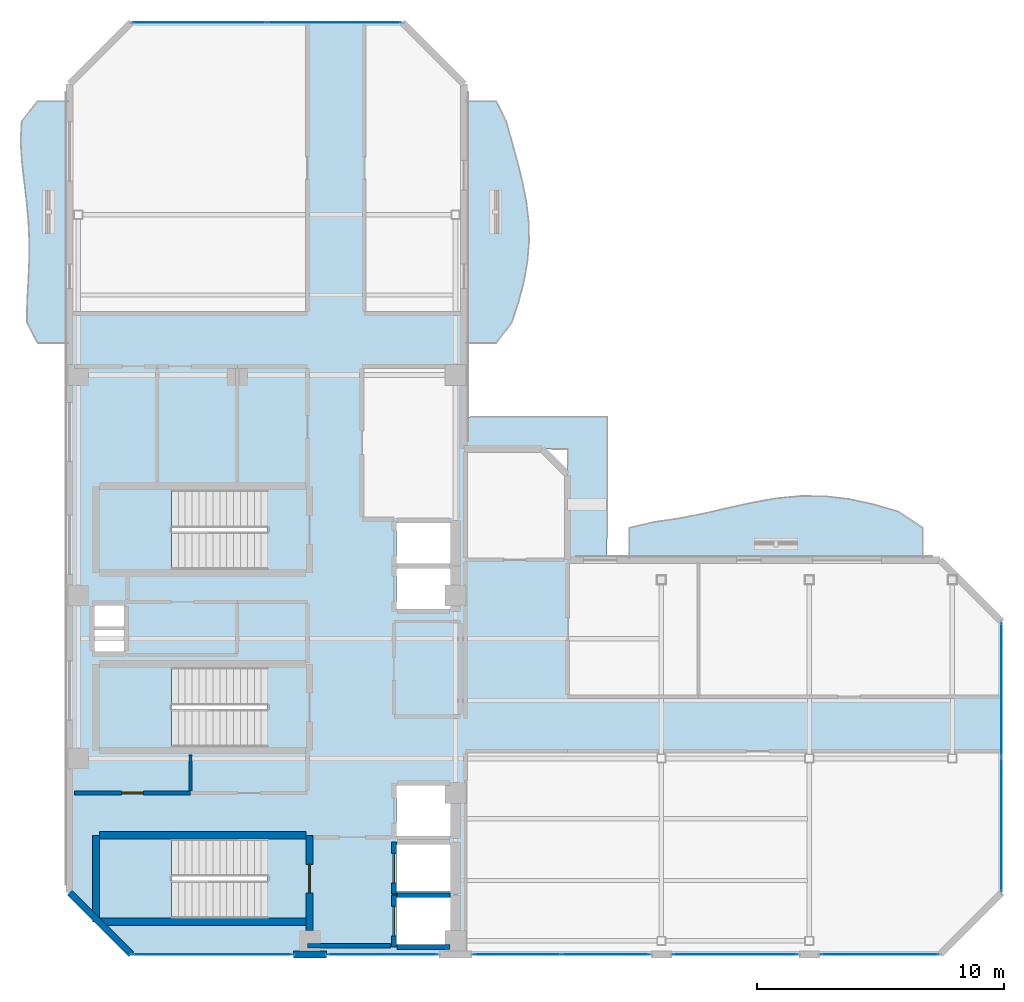
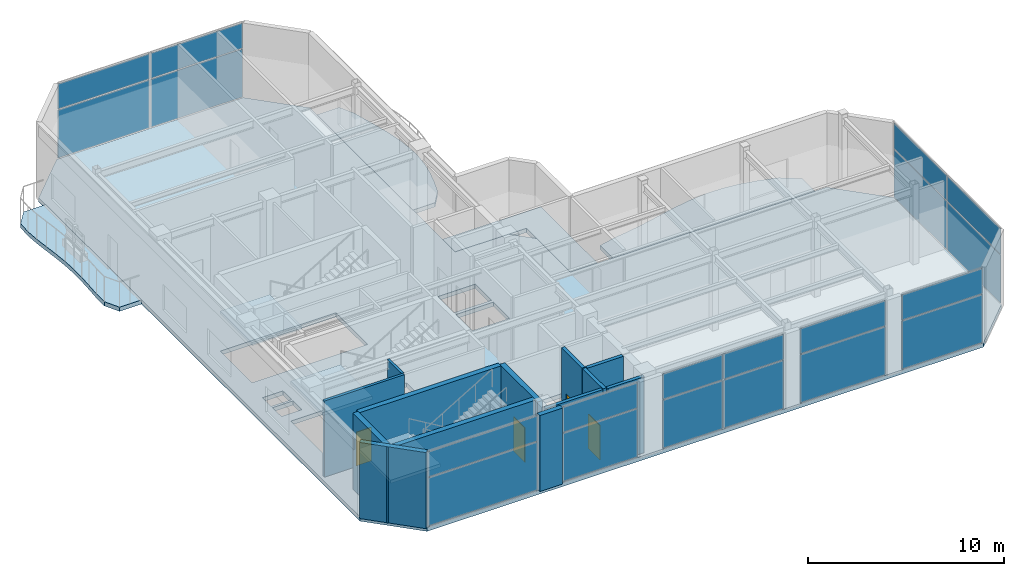
# One storey, part 9 of 16: 20 plates, 13 walls, 8 slabs, 4 doors, 4 openings, 10 elements without a shape of their own.
"""IFC4 building model written with IfcOpenShell, lengths in metres."""

import ifcopenshell
import ifcopenshell.guid

model = None  # the IFC model being written
_history = None  # IfcOwnerHistory: only IFC2X3 demands one
_inside = {}  # id of a spatial element -> (the spatial element, [elements in it])
_under = {}  # id of a project, library or spatial element -> (it, [spatial elements below it])
_declared = {}  # id of a project -> (the project, [libraries it declares])
_typed = {}  # id of a type object -> (the type object, [elements of that type])
_made_of = {}  # id of a material, layer set ... -> (it, [elements and type objects made of it])


def new_model(schema):
    """Start an empty IFC model of exactly this schema.

    Asked for "IFC4X3", IfcOpenShell would pick the latest addendum, in which some entities
    have other attributes; the version numbers below select the first issue.
    IFC2X3 requires an IfcOwnerHistory on every rooted entity: one is made here for all.
    """
    global model, _history
    if schema == "IFC4X3":
        model = ifcopenshell.file(schema_version=(4, 3, 0, 0))
    else:
        model = ifcopenshell.file(schema=schema)
    _inside.clear()
    _under.clear()
    _declared.clear()
    _typed.clear()
    _made_of.clear()
    _history = None
    if model.schema == "IFC2X3":
        org = make("IfcOrganization", Name="unknown")
        user = make(
            "IfcPersonAndOrganization",
            ThePerson=make("IfcPerson", FamilyName="unknown"),
            TheOrganization=org,
        )
        app = make(
            "IfcApplication",
            ApplicationDeveloper=org,
            Version="unknown",
            ApplicationFullName="unknown",
            ApplicationIdentifier="unknown",
        )
        _history = make(
            "IfcOwnerHistory",
            OwningUser=user,
            OwningApplication=app,
            ChangeAction="ADDED",
            CreationDate=0,
        )
    return model


def make(cls, **values):
    """One entity of the class cls with the attributes given. An attribute that is None is left unset."""
    return model.create_entity(
        cls, **{name: value for name, value in values.items() if value is not None}
    )


def rooted(cls, **values):
    """An entity with a GlobalId (a new one), such as an element, a storey or a relation."""
    return make(cls, GlobalId=ifcopenshell.guid.new(), OwnerHistory=_history, **values)


def si_unit(unit_type, name, prefix=None):
    """IfcSIUnit, for example si_unit("LENGTHUNIT", "METRE", prefix="MILLI")."""
    return make("IfcSIUnit", UnitType=unit_type, Prefix=prefix, Name=name)


def assignment(units):
    """IfcUnitAssignment: the units of a project."""
    return None if units is None else make("IfcUnitAssignment", Units=units)


def point(xyz):
    """IfcCartesianPoint."""
    return None if xyz is None else make("IfcCartesianPoint", Coordinates=xyz)


def direction(xyz):
    """IfcDirection."""
    return None if xyz is None else make("IfcDirection", DirectionRatios=xyz)


def frame(location, z_axis=None, x_axis=None):
    """IfcAxis2Placement3D, a coordinate frame: its origin and axes. An axis left out is left unset."""
    return make(
        "IfcAxis2Placement3D",
        Location=point(location),
        Axis=direction(z_axis),
        RefDirection=direction(x_axis),
    )


def frame_2d(location, x_axis=None):
    """IfcAxis2Placement2D, a coordinate frame in the plane: its origin and x axis."""
    return make(
        "IfcAxis2Placement2D", Location=point(location), RefDirection=direction(x_axis)
    )


def origin():
    """The frame at (0, 0, 0) with its axes left unset."""
    return frame((0.0, 0.0, 0.0))


def origin_2d():
    """The frame at (0, 0) in the plane with its x axis left unset."""
    return frame_2d((0.0, 0.0))


def place(relative_to, where):
    """IfcLocalPlacement: puts the frame where relative to a parent placement (None: the world)."""
    return make(
        "IfcLocalPlacement", PlacementRelTo=relative_to, RelativePlacement=where
    )


def context(
    kind, dimensions, precision=None, world=None, true_north=None, identifier=None
):
    """IfcGeometricRepresentationContext, for example the 3D "Model" context."""
    return make(
        "IfcGeometricRepresentationContext",
        ContextIdentifier=identifier,
        ContextType=kind,
        CoordinateSpaceDimension=dimensions,
        Precision=precision,
        WorldCoordinateSystem=world,
        TrueNorth=true_north,
    )


def subcontext(parent, identifier, kind, view, scale=None):
    """IfcGeometricRepresentationSubContext, for example "Body" below "Model"."""
    return make(
        "IfcGeometricRepresentationSubContext",
        ContextIdentifier=identifier,
        ContextType=kind,
        ParentContext=parent,
        TargetScale=scale,
        TargetView=view,
    )


def project(units=None, contexts=None):
    """IfcProject with its units and contexts."""
    return rooted(
        "IfcProject",
        Name="project",
        RepresentationContexts=contexts,
        UnitsInContext=assignment(units),
    )


def spatial(cls, under=None, at=None, **own):
    """A site, building, storey or space (cls), placed at a placement, below another one or the project."""
    s = rooted(cls, ObjectPlacement=at, **own)
    if under is not None:
        _under.setdefault(under.id(), (under, []))[1].append(s)
    return s


def polyline(points):
    """IfcPolyline through the points."""
    return make("IfcPolyline", Points=[point(p) for p in points])


def profile(cls, at=None, kind="AREA", **sizes):
    """A parametric profile (cls). Its sizes go by their IFC names, for example OverallWidth=200.0."""
    return make(cls, ProfileType=kind, Position=at, **sizes)


def rectangle(**sizes):
    """IfcRectangleProfileDef."""
    return profile("IfcRectangleProfileDef", **sizes)


def outline(outer, holes=None, kind="AREA"):
    """IfcArbitraryClosedProfileDef: a profile drawn as a closed curve; with holes, ...WithVoids."""
    if holes is None:
        return make("IfcArbitraryClosedProfileDef", ProfileType=kind, OuterCurve=outer)
    return make(
        "IfcArbitraryProfileDefWithVoids",
        ProfileType=kind,
        OuterCurve=outer,
        InnerCurves=holes,
    )


def extrude(swept, where, along, depth):
    """IfcExtrudedAreaSolid: the profile swept, set in the frame where, extruded along a direction by depth."""
    return make(
        "IfcExtrudedAreaSolid",
        SweptArea=swept,
        Position=where,
        ExtrudedDirection=direction(along),
        Depth=depth,
    )


def shape(context_of_items, identifier, shape_type, items):
    """IfcShapeRepresentation: the items that make up one representation, for example the "Body"."""
    return make(
        "IfcShapeRepresentation",
        ContextOfItems=context_of_items,
        RepresentationIdentifier=identifier,
        RepresentationType=shape_type,
        Items=items,
    )


def material(Name=None, Category=None):
    """IfcMaterial."""
    return make("IfcMaterial", Name=Name, Category=Category)


def layer(
    of_material, thickness, ventilated=None, Name=None, Category=None, Priority=None
):
    """IfcMaterialLayer: one layer of a wall or slab, of a material (None: an air gap)."""
    return make(
        "IfcMaterialLayer",
        Material=of_material,
        LayerThickness=thickness,
        IsVentilated=ventilated,
        Name=Name,
        Category=Category,
        Priority=Priority,
    )


def layer_set(layers, Name=None):
    """IfcMaterialLayerSet."""
    return make("IfcMaterialLayerSet", MaterialLayers=layers, LayerSetName=Name)


def made_of(thing, what):
    """Note that an element or type object is made of a material, layer set ...; save() writes the relation."""
    if what is not None:
        _made_of.setdefault(what.id(), (what, []))[1].append(thing)
    return thing


def type_object(cls, material=None, **own):
    """A type object (cls), such as IfcWallType, which elements share."""
    return made_of(rooted(cls, **own), material)


def element(
    cls,
    number,
    at=None,
    inside=None,
    cuts=None,
    type_object=None,
    material=None,
    context=None,
    identifier="Body",
    shape_type=None,
    held_by="IfcProductDefinitionShape",
    body=None,
    shapes=None,
    **own,
):
    """One element of the class cls, such as IfcWall. Its Tag is "e" and its number.

    at: its placement. inside: the storey or other place that contains it. cuts: it is an
    opening in that element (IfcRelVoidsElement). A single representation is given by context,
    identifier, shape_type and body (its items); several are given by shapes. held_by: the class
    of the entity that holds the representations. save() writes the other relations.
    """
    e = rooted(cls, Tag="e%d" % number, ObjectPlacement=at, **own)
    if body is not None:
        shapes = [shape(context, identifier, shape_type, body)]
    if shapes is not None:
        e.Representation = make(held_by, Representations=shapes)
    if inside is not None:
        _inside.setdefault(inside.id(), (inside, []))[1].append(e)
    if cuts is not None:
        rooted(
            "IfcRelVoidsElement", RelatingBuildingElement=cuts, RelatedOpeningElement=e
        )
    if type_object is not None:
        _typed.setdefault(type_object.id(), (type_object, []))[1].append(e)
    return made_of(e, material)


def fill(opening, filler):
    """IfcRelFillsElement: the door or window that sits in an opening."""
    return rooted(
        "IfcRelFillsElement",
        RelatingOpeningElement=opening,
        RelatedBuildingElement=filler,
    )


def aggregate(whole, parts):
    """IfcRelAggregates: a whole, such as a stair, and the parts it consists of."""
    return rooted("IfcRelAggregates", RelatingObject=whole, RelatedObjects=parts)


def save(model, path):
    """Write the relations noted so far, then the file.

    IfcRelAggregates (storeys below a building ...), IfcRelContainedInSpatialStructure (elements
    in a storey), IfcRelDefinesByType, IfcRelAssociatesMaterial and IfcRelDeclares: one each for
    every whole, place, type object, material and project.
    """
    for whole, parts in _under.values():
        aggregate(whole, parts)
    for where, things in _inside.values():
        rooted(
            "IfcRelContainedInSpatialStructure",
            RelatedElements=things,
            RelatingStructure=where,
        )
    for kind, things in _typed.values():
        rooted("IfcRelDefinesByType", RelatedObjects=things, RelatingType=kind)
    for what, things in _made_of.values():
        rooted("IfcRelAssociatesMaterial", RelatedObjects=things, RelatingMaterial=what)
    for by, libraries in _declared.values():
        rooted("IfcRelDeclares", RelatingContext=by, RelatedDefinitions=libraries)
    model.write(path)


model = new_model("IFC4")

# Units and contexts
model_context = context("Model", 3, precision=1e-05, world=origin(), true_north=direction((0.0, 1.0)))
body_context = subcontext(model_context, "Body", "Model", "MODEL_VIEW")
ifc_project = project(units=[si_unit("LENGTHUNIT", "METRE"), si_unit("AREAUNIT", "SQUARE_METRE"), si_unit("VOLUMEUNIT", "CUBIC_METRE"), si_unit("PLANEANGLEUNIT", "RADIAN"), si_unit("MASSUNIT", "GRAM", prefix="KILO")], contexts=[model_context])

# Site, building, storey
site_placement = place(None, origin())
site = spatial("IfcSite", under=ifc_project, at=site_placement, CompositionType="ELEMENT")
building_placement = place(site_placement, origin())
building = spatial("IfcBuilding", under=site, at=building_placement, Name="Mawjaban Terraces University", CompositionType="ELEMENT")
storey_placement = place(building_placement, frame((0.0, 0.0, 311.699951171875)))
storey = spatial("IfcBuildingStorey", under=building, at=storey_placement, Name="L76", CompositionType="ELEMENT", Elevation=311.699951171875)

# Slabs
ifc_material_1 = material(Name="Concrete C40/50", Category="concrete")
ifc_layer_1 = layer(ifc_material_1, 0.260009765625)
ifc_layer_set_1 = layer_set([ifc_layer_1], Name="Concrete C40/50")
slab_type_1 = type_object("IfcSlabType", Name="BalconySlab_260_Ext", PredefinedType="FLOOR", material=ifc_layer_set_1)
slab_1_placement = place(storey_placement, frame((0.0, 0.0, -0.260009765625)))
element("IfcSlab", 1, at=slab_1_placement, inside=storey, type_object=slab_type_1, Name="L76 Planted Balcony Slab west", PredefinedType="FLOOR", context=body_context, shape_type="SweptSolid", body=[
    extrude(outline(polyline([(22.010009765625, 24.800048828125), (22.010009765625, 34.60009765625), (20.699951171875, 34.60009765625), (20.054931640625, 33.782958984375), (20.011962890625, 32.967041015625), (20.06591796875, 32.14990234375), (20.159912109375, 31.3330078125), (20.257080078125, 30.51708984375), (20.3310546875, 29.699951171875), (20.365966796875, 28.883056640625), (20.35888671875, 28.06689453125), (20.321044921875, 27.25), (20.27587890625, 26.43310546875), (20.27392578125, 25.616943359375), (20.699951171875, 24.800048828125), (22.010009765625, 24.800048828125)])), origin(), (0.0, 0.0, 1.0), 0.260009765625),
])
slab_2_placement = place(storey_placement, frame((0.0, 0.0, -0.260009765625)))
element("IfcSlab", 2, at=slab_2_placement, inside=storey, type_object=slab_type_1, Name="L76 Planted Balcony Slab inner_north", PredefinedType="FLOOR", context=body_context, shape_type="SweptSolid", body=[
    extrude(outline(polyline([(44.699951171875, 15.989990234375), (56.60009765625, 15.989990234375), (56.60009765625, 17.300048828125), (55.60791015625, 17.95703125), (54.616943359375, 18.251953125), (53.625, 18.467041015625), (52.633056640625, 18.583984375), (51.64208984375, 18.591064453125), (50.64990234375, 18.4951171875), (49.657958984375, 18.31689453125), (48.6669921875, 18.095947265625), (47.675048828125, 17.8720703125), (46.68310546875, 17.678955078125), (45.69189453125, 17.533935546875), (44.699951171875, 17.300048828125), (44.699951171875, 15.989990234375)])), origin(), (0.0, 0.0, 1.0), 0.260009765625),
])
slab_3_placement = place(storey_placement, frame((0.0, 0.0, -0.260009765625)))
element("IfcSlab", 3, at=slab_3_placement, inside=storey, type_object=slab_type_1, Name="L76 Planted Balcony Slab inner_east", PredefinedType="FLOOR", context=body_context, shape_type="SweptSolid", body=[
    extrude(outline(polyline([(39.300048828125, 24.800048828125), (39.925048828125, 25.616943359375), (40.199951171875, 26.43310546875), (40.4150390625, 27.25), (40.56396484375, 28.06689453125), (40.633056640625, 28.883056640625), (40.618896484375, 29.699951171875), (40.52392578125, 30.51708984375), (40.364990234375, 31.3330078125), (40.160888671875, 32.14990234375), (39.93603515625, 32.967041015625), (39.70703125, 33.782958984375), (39.300048828125, 34.60009765625), (37.989990234375, 34.60009765625), (37.989990234375, 24.800048828125), (39.300048828125, 24.800048828125)])), origin(), (0.0, 0.0, 1.0), 0.260009765625),
])
ifc_layer_2 = layer(ifc_material_1, 0.260009765625)
ifc_layer_set_2 = layer_set([ifc_layer_2], Name="Concrete C40/50")
slab_type_2 = type_object("IfcSlabType", Name="DiaphragmSlab_260", PredefinedType="FLOOR", material=ifc_layer_set_2)
slab_4_placement = place(storey_placement, frame((0.0, 0.0, -0.260009765625)))
element("IfcSlab", 4, at=slab_4_placement, inside=storey, type_object=slab_type_2, Name="L76 Primary Structural Slab", PredefinedType="FLOOR", context=body_context, shape_type="SweptSolid", body=[
    extrude(outline(polyline([(24.5, 0.0), (57.300048828125, 0.0), (59.800048828125, 2.5), (59.800048828125, 13.5), (57.300048828125, 16.0), (42.199951171875, 16.0), (42.199951171875, 19.449951171875), (41.14990234375, 20.5), (38.0, 20.5), (38.0, 35.300048828125), (35.5, 37.800048828125), (24.5, 37.800048828125), (22.0, 35.300048828125), (22.0, 2.5), (24.5, 0.0)]), holes=[polyline([(30.014892578125, 4.699951171875), (23.199951171875, 4.699951171875), (23.199951171875, 1.449951171875), (30.014892578125, 1.449951171875), (30.014892578125, 4.699951171875)]), polyline([(30.014892578125, 18.85009765625), (23.199951171875, 18.85009765625), (23.199951171875, 15.60009765625), (30.014892578125, 15.60009765625), (30.014892578125, 18.85009765625)]), polyline([(30.014892578125, 11.64990234375), (23.199951171875, 11.64990234375), (23.199951171875, 8.39990234375), (30.014892578125, 8.39990234375), (30.014892578125, 11.64990234375)]), polyline([(35.25, 0.39990234375), (37.449951171875, 0.39990234375), (37.449951171875, 2.300048828125), (35.25, 2.300048828125), (35.25, 0.39990234375)]), polyline([(35.25, 2.550048828125), (37.449951171875, 2.550048828125), (37.449951171875, 4.449951171875), (35.25, 4.449951171875), (35.25, 2.550048828125)]), polyline([(35.25, 4.800048828125), (37.449951171875, 4.800048828125), (37.449951171875, 6.85009765625), (35.25, 6.85009765625), (35.25, 4.800048828125)]), polyline([(35.25, 14.0), (37.449951171875, 14.0), (37.449951171875, 15.64990234375), (35.25, 15.64990234375), (35.25, 14.0)]), polyline([(35.25, 15.85009765625), (37.449951171875, 15.85009765625), (37.449951171875, 17.5), (35.25, 17.5), (35.25, 15.85009765625)]), polyline([(23.0, 12.25), (24.199951171875, 12.25), (24.199951171875, 13.14990234375), (23.0, 13.14990234375), (23.0, 12.25)]), polyline([(23.0, 13.300048828125), (24.199951171875, 13.300048828125), (24.199951171875, 14.179931640625), (23.0, 14.179931640625), (23.0, 13.300048828125)])]), origin(), (0.0, 0.0, 1.0), 0.260009765625),
])

# Stair, slab
stair_type = type_object("IfcStairType", Name="Stair_Core1550_H50", PredefinedType="HALF_TURN_STAIR", material=ifc_material_1)
stair_1_placement = place(storey_placement, origin())
stair_1 = element("IfcStair", 5, at=stair_1_placement, inside=storey, type_object=stair_type, Name="L76 Core Exit Stair 1", PredefinedType="HALF_TURN_STAIR")
ifc_layer_3 = layer(ifc_material_1, 0.199951171875)
ifc_layer_set_3 = layer_set([ifc_layer_3], Name="Concrete C40/50")
slab_type_3 = type_object("IfcSlabType", Name="StairLandingSlab_200", PredefinedType="LANDING", material=ifc_layer_set_3)
slab_5_placement = place(storey_placement, frame((0.0, 0.0, 2.300048828125)))
slab_5 = element("IfcSlab", 6, at=slab_5_placement, type_object=slab_type_3, Name="ST-1 landing 1", PredefinedType="LANDING", context=body_context, shape_type="SweptSolid", body=[
    extrude(outline(polyline([(26.1298828125, 4.699951171875), (23.199951171875, 4.699951171875), (23.199951171875, 1.449951171875), (26.1298828125, 1.449951171875), (26.1298828125, 4.699951171875)])), origin(), (0.0, 0.0, 1.0), 0.199951171875),
])
aggregate(stair_1, [slab_5])

stair_2_placement = place(storey_placement, origin())
stair_2 = element("IfcStair", 7, at=stair_2_placement, inside=storey, type_object=stair_type, Name="L76 Core Exit Stair 2", PredefinedType="HALF_TURN_STAIR")
slab_6_placement = place(storey_placement, frame((0.0, 0.0, 2.300048828125)))
slab_6 = element("IfcSlab", 8, at=slab_6_placement, type_object=slab_type_3, Name="ST-2 landing 1", PredefinedType="LANDING", context=body_context, shape_type="SweptSolid", body=[
    extrude(outline(polyline([(26.1298828125, 18.85009765625), (23.199951171875, 18.85009765625), (23.199951171875, 15.60009765625), (26.1298828125, 15.60009765625), (26.1298828125, 18.85009765625)])), origin(), (0.0, 0.0, 1.0), 0.199951171875),
])
aggregate(stair_2, [slab_6])

stair_3_placement = place(storey_placement, origin())
stair_3 = element("IfcStair", 9, at=stair_3_placement, inside=storey, type_object=stair_type, Name="L76 Core Exit Stair 3", PredefinedType="HALF_TURN_STAIR")
slab_7_placement = place(storey_placement, frame((0.0, 0.0, 2.300048828125)))
slab_7 = element("IfcSlab", 10, at=slab_7_placement, type_object=slab_type_3, Name="ST-3 landing 1", PredefinedType="LANDING", context=body_context, shape_type="SweptSolid", body=[
    extrude(outline(polyline([(26.1298828125, 11.64990234375), (23.199951171875, 11.64990234375), (23.199951171875, 8.39990234375), (26.1298828125, 8.39990234375), (26.1298828125, 11.64990234375)])), origin(), (0.0, 0.0, 1.0), 0.199951171875),
])
aggregate(stair_3, [slab_7])

# Slab
ifc_layer_4 = layer(ifc_material_1, 0.260009765625)
ifc_layer_set_4 = layer_set([ifc_layer_4], Name="Concrete C40/50")
slab_type_4 = type_object("IfcSlabType", Name="TerraceRoofSlab_260_Ext", PredefinedType="ROOF", material=ifc_layer_set_4)
slab_8_placement = place(storey_placement, frame((0.0, 0.0, -0.260009765625)))
element("IfcSlab", 11, at=slab_8_placement, inside=storey, type_object=slab_type_4, Name="L76 Exterior Lookout Terrace Slab", PredefinedType="ROOF", context=body_context, shape_type="SweptSolid", body=[
    extrude(outline(polyline([(42.199951171875, 16.0), (43.800048828125, 16.0), (43.800048828125, 21.800048828125), (38.0, 21.800048828125), (38.0, 20.5), (42.199951171875, 20.5), (42.199951171875, 16.0)])), origin(), (0.0, 0.0, 1.0), 0.260009765625),
])

# Curtain wall, plates
ifc_material_2 = material(Name="Anodised aluminium 6063-T6 and solar-control low-E glass", Category="aluminium")
ifc_layer_5 = layer(ifc_material_2, 0.199951171875)
ifc_layer_set_5 = layer_set([ifc_layer_5], Name="Anodised aluminium 6063-T6 and solar-control low-E glass")
curtain_wall_type = type_object("IfcCurtainWallType", Name="CWSystem_06_ObservationCrown", PredefinedType="NOTDEFINED", material=ifc_layer_set_5)
curtain_wall_1_placement = place(storey_placement, origin())
curtain_wall_1 = element("IfcCurtainWall", 12, at=curtain_wall_1_placement, inside=storey, type_object=curtain_wall_type, Name="L76 Curtain Wall CW-06 Run 1.1", PredefinedType="NOTDEFINED")
ifc_material_3 = material(Name="Low-E solar-control double glazing", Category="glass")
ifc_layer_6 = layer(ifc_material_3, 0.035888671875)
ifc_layer_set_6 = layer_set([ifc_layer_6], Name="Low-E solar-control double glazing")
plate_type = type_object("IfcPlateType", Name="VisionPanel_CW-06", PredefinedType="CURTAIN_PANEL", material=ifc_layer_set_6)
plate_1_placement = place(storey_placement, frame((27.78759765625, 0.0, 0.06005859375), z_axis=(0.0, 0.0, 1.0), x_axis=(1.0, 0.0, 0.0)))
plate_1 = element("IfcPlate", 13, at=plate_1_placement, type_object=plate_type, Name="CW-06 panel 1.1", PredefinedType="CURTAIN_PANEL", context=body_context, shape_type="SweptSolid", body=[
    extrude(rectangle(XDim=6.445068359375, YDim=0.028076171875, at=origin_2d()), origin(), (0.0, 0.0, 1.0), 2.990966796875),
])
plate_2_placement = place(storey_placement, frame((27.78759765625, 0.0, 3.11083984375), z_axis=(0.0, 0.0, 1.0), x_axis=(1.0, 0.0, 0.0)))
plate_2 = element("IfcPlate", 14, at=plate_2_placement, type_object=plate_type, Name="CW-06 panel 1.2", PredefinedType="CURTAIN_PANEL", context=body_context, shape_type="SweptSolid", body=[
    extrude(rectangle(XDim=6.445068359375, YDim=0.028076171875, at=origin_2d()), origin(), (0.0, 0.0, 1.0), 1.569091796875),
])
aggregate(curtain_wall_1, [plate_1, plate_2])

curtain_wall_2_placement = place(storey_placement, origin())
curtain_wall_2 = element("IfcCurtainWall", 15, at=curtain_wall_2_placement, inside=storey, type_object=curtain_wall_type, Name="L76 Curtain Wall CW-06 Run 1.2", PredefinedType="NOTDEFINED")
plate_3_placement = place(storey_placement, frame((34.699951171875, 0.0, 0.06005859375), z_axis=(0.0, 0.0, 1.0), x_axis=(1.0, 0.0, 0.0)))
plate_3 = element("IfcPlate", 16, at=plate_3_placement, type_object=plate_type, Name="CW-06 panel 1.1", PredefinedType="CURTAIN_PANEL", context=body_context, shape_type="SweptSolid", body=[
    extrude(rectangle(XDim=4.419921875, YDim=0.028076171875, at=origin_2d()), origin(), (0.0, 0.0, 1.0), 2.990966796875),
])
plate_4_placement = place(storey_placement, frame((34.699951171875, 0.0, 3.11083984375), z_axis=(0.0, 0.0, 1.0), x_axis=(1.0, 0.0, 0.0)))
plate_4 = element("IfcPlate", 17, at=plate_4_placement, type_object=plate_type, Name="CW-06 panel 1.2", PredefinedType="CURTAIN_PANEL", context=body_context, shape_type="SweptSolid", body=[
    extrude(rectangle(XDim=4.419921875, YDim=0.028076171875, at=origin_2d()), origin(), (0.0, 0.0, 1.0), 1.569091796875),
])
aggregate(curtain_wall_2, [plate_3, plate_4])

curtain_wall_3_placement = place(storey_placement, origin())
curtain_wall_3 = element("IfcCurtainWall", 18, at=curtain_wall_3_placement, inside=storey, type_object=curtain_wall_type, Name="L76 Curtain Wall CW-06 Run 1.3", PredefinedType="NOTDEFINED")
plate_5_placement = place(storey_placement, frame((40.15380859375, 0.0, 0.06005859375), z_axis=(0.0, 0.0, 1.0), x_axis=(1.0, 0.0, 0.0)))
plate_5 = element("IfcPlate", 19, at=plate_5_placement, type_object=plate_type, Name="CW-06 panel 1.1", PredefinedType="CURTAIN_PANEL", context=body_context, shape_type="SweptSolid", body=[
    extrude(rectangle(XDim=3.527587890625, YDim=0.028076171875, at=origin_2d()), origin(), (0.0, 0.0, 1.0), 2.990966796875),
])
plate_6_placement = place(storey_placement, frame((40.15380859375, 0.0, 3.11083984375), z_axis=(0.0, 0.0, 1.0), x_axis=(1.0, 0.0, 0.0)))
plate_6 = element("IfcPlate", 20, at=plate_6_placement, type_object=plate_type, Name="CW-06 panel 1.2", PredefinedType="CURTAIN_PANEL", context=body_context, shape_type="SweptSolid", body=[
    extrude(rectangle(XDim=3.527587890625, YDim=0.028076171875, at=origin_2d()), origin(), (0.0, 0.0, 1.0), 1.569091796875),
])
plate_7_placement = place(storey_placement, frame((43.746337890625, 0.0, 0.06005859375), z_axis=(0.0, 0.0, 1.0), x_axis=(1.0, 0.0, 0.0)))
plate_7 = element("IfcPlate", 21, at=plate_7_placement, type_object=plate_type, Name="CW-06 panel 2.1", PredefinedType="CURTAIN_PANEL", context=body_context, shape_type="SweptSolid", body=[
    extrude(rectangle(XDim=3.527587890625, YDim=0.028076171875, at=origin_2d()), origin(), (0.0, 0.0, 1.0), 2.990966796875),
])
plate_8_placement = place(storey_placement, frame((43.746337890625, 0.0, 3.11083984375), z_axis=(0.0, 0.0, 1.0), x_axis=(1.0, 0.0, 0.0)))
plate_8 = element("IfcPlate", 22, at=plate_8_placement, type_object=plate_type, Name="CW-06 panel 2.2", PredefinedType="CURTAIN_PANEL", context=body_context, shape_type="SweptSolid", body=[
    extrude(rectangle(XDim=3.527587890625, YDim=0.028076171875, at=origin_2d()), origin(), (0.0, 0.0, 1.0), 1.569091796875),
])
aggregate(curtain_wall_3, [plate_5, plate_6, plate_7, plate_8])

curtain_wall_4_placement = place(storey_placement, origin())
curtain_wall_4 = element("IfcCurtainWall", 23, at=curtain_wall_4_placement, inside=storey, type_object=curtain_wall_type, Name="L76 Curtain Wall CW-06 Run 1.4", PredefinedType="NOTDEFINED")
plate_9_placement = place(storey_placement, frame((49.0, 0.0, 0.06005859375), z_axis=(0.0, 0.0, 1.0), x_axis=(1.0, 0.0, 0.0)))
plate_9 = element("IfcPlate", 24, at=plate_9_placement, type_object=plate_type, Name="CW-06 panel 1.1", PredefinedType="CURTAIN_PANEL", context=body_context, shape_type="SweptSolid", body=[
    extrude(rectangle(XDim=5.02001953125, YDim=0.028076171875, at=origin_2d()), origin(), (0.0, 0.0, 1.0), 2.990966796875),
])
plate_10_placement = place(storey_placement, frame((49.0, 0.0, 3.11083984375), z_axis=(0.0, 0.0, 1.0), x_axis=(1.0, 0.0, 0.0)))
plate_10 = element("IfcPlate", 25, at=plate_10_placement, type_object=plate_type, Name="CW-06 panel 1.2", PredefinedType="CURTAIN_PANEL", context=body_context, shape_type="SweptSolid", body=[
    extrude(rectangle(XDim=5.02001953125, YDim=0.028076171875, at=origin_2d()), origin(), (0.0, 0.0, 1.0), 1.569091796875),
])
aggregate(curtain_wall_4, [plate_9, plate_10])

curtain_wall_5_placement = place(storey_placement, origin())
curtain_wall_5 = element("IfcCurtainWall", 26, at=curtain_wall_5_placement, inside=storey, type_object=curtain_wall_type, Name="L76 Curtain Wall CW-06 Run 1.5", PredefinedType="NOTDEFINED")
plate_11_placement = place(storey_placement, frame((54.862548828125, 0.0, 0.06005859375), z_axis=(0.0, 0.0, 1.0), x_axis=(1.0, 0.0, 0.0)))
plate_11 = element("IfcPlate", 27, at=plate_11_placement, type_object=plate_type, Name="CW-06 panel 1.1", PredefinedType="CURTAIN_PANEL", context=body_context, shape_type="SweptSolid", body=[
    extrude(rectangle(XDim=4.7451171875, YDim=0.028076171875, at=origin_2d()), origin(), (0.0, 0.0, 1.0), 2.990966796875),
])
plate_12_placement = place(storey_placement, frame((54.862548828125, 0.0, 3.11083984375), z_axis=(0.0, 0.0, 1.0), x_axis=(1.0, 0.0, 0.0)))
plate_12 = element("IfcPlate", 28, at=plate_12_placement, type_object=plate_type, Name="CW-06 panel 1.2", PredefinedType="CURTAIN_PANEL", context=body_context, shape_type="SweptSolid", body=[
    extrude(rectangle(XDim=4.7451171875, YDim=0.028076171875, at=origin_2d()), origin(), (0.0, 0.0, 1.0), 1.569091796875),
])
aggregate(curtain_wall_5, [plate_11, plate_12])

curtain_wall_6_placement = place(storey_placement, origin())
curtain_wall_6 = element("IfcCurtainWall", 29, at=curtain_wall_6_placement, inside=storey, type_object=curtain_wall_type, Name="L76 Curtain Wall CW-06 Run 3.1", PredefinedType="NOTDEFINED")
plate_13_placement = place(storey_placement, frame((59.800048828125, 5.266357421875, 0.06005859375), z_axis=(0.0, 0.0, 1.0), x_axis=(0.0, 1.0, 0.0)))
plate_13 = element("IfcPlate", 30, at=plate_13_placement, type_object=plate_type, Name="CW-06 panel 1.1", PredefinedType="CURTAIN_PANEL", context=body_context, shape_type="SweptSolid", body=[
    extrude(rectangle(XDim=5.402587890625, YDim=0.028076171875, at=origin_2d()), origin(), (0.0, 0.0, 1.0), 2.990966796875),
])
plate_14_placement = place(storey_placement, frame((59.800048828125, 5.266357421875, 3.11083984375), z_axis=(0.0, 0.0, 1.0), x_axis=(0.0, 1.0, 0.0)))
plate_14 = element("IfcPlate", 31, at=plate_14_placement, type_object=plate_type, Name="CW-06 panel 1.2", PredefinedType="CURTAIN_PANEL", context=body_context, shape_type="SweptSolid", body=[
    extrude(rectangle(XDim=5.402587890625, YDim=0.028076171875, at=origin_2d()), origin(), (0.0, 0.0, 1.0), 1.569091796875),
])
plate_15_placement = place(storey_placement, frame((59.800048828125, 10.733642578125, 0.06005859375), z_axis=(0.0, 0.0, 1.0), x_axis=(0.0, 1.0, 0.0)))
plate_15 = element("IfcPlate", 32, at=plate_15_placement, type_object=plate_type, Name="CW-06 panel 2.1", PredefinedType="CURTAIN_PANEL", context=body_context, shape_type="SweptSolid", body=[
    extrude(rectangle(XDim=5.402587890625, YDim=0.028076171875, at=origin_2d()), origin(), (0.0, 0.0, 1.0), 2.990966796875),
])
plate_16_placement = place(storey_placement, frame((59.800048828125, 10.733642578125, 3.11083984375), z_axis=(0.0, 0.0, 1.0), x_axis=(0.0, 1.0, 0.0)))
plate_16 = element("IfcPlate", 33, at=plate_16_placement, type_object=plate_type, Name="CW-06 panel 2.2", PredefinedType="CURTAIN_PANEL", context=body_context, shape_type="SweptSolid", body=[
    extrude(rectangle(XDim=5.402587890625, YDim=0.028076171875, at=origin_2d()), origin(), (0.0, 0.0, 1.0), 1.569091796875),
])
aggregate(curtain_wall_6, [plate_13, plate_14, plate_15, plate_16])

curtain_wall_7_placement = place(storey_placement, origin())
curtain_wall_7 = element("IfcCurtainWall", 34, at=curtain_wall_7_placement, inside=storey, type_object=curtain_wall_type, Name="L76 Curtain Wall CW-06 Run 11.1", PredefinedType="NOTDEFINED")
plate_17_placement = place(storey_placement, frame((32.733642578125, 37.800048828125, 0.06005859375), z_axis=(0.0, 0.0, 1.0), x_axis=(-1.0, 0.0, 0.0)))
plate_17 = element("IfcPlate", 35, at=plate_17_placement, type_object=plate_type, Name="CW-06 panel 1.1", PredefinedType="CURTAIN_PANEL", context=body_context, shape_type="SweptSolid", body=[
    extrude(rectangle(XDim=5.402587890625, YDim=0.028076171875, at=origin_2d()), origin(), (0.0, 0.0, 1.0), 2.990966796875),
])
plate_18_placement = place(storey_placement, frame((32.733642578125, 37.800048828125, 3.11083984375), z_axis=(0.0, 0.0, 1.0), x_axis=(-1.0, 0.0, 0.0)))
plate_18 = element("IfcPlate", 36, at=plate_18_placement, type_object=plate_type, Name="CW-06 panel 1.2", PredefinedType="CURTAIN_PANEL", context=body_context, shape_type="SweptSolid", body=[
    extrude(rectangle(XDim=5.402587890625, YDim=0.028076171875, at=origin_2d()), origin(), (0.0, 0.0, 1.0), 1.569091796875),
])
plate_19_placement = place(storey_placement, frame((27.266357421875, 37.800048828125, 0.06005859375), z_axis=(0.0, 0.0, 1.0), x_axis=(-1.0, 0.0, 0.0)))
plate_19 = element("IfcPlate", 37, at=plate_19_placement, type_object=plate_type, Name="CW-06 panel 2.1", PredefinedType="CURTAIN_PANEL", context=body_context, shape_type="SweptSolid", body=[
    extrude(rectangle(XDim=5.402587890625, YDim=0.028076171875, at=origin_2d()), origin(), (0.0, 0.0, 1.0), 2.990966796875),
])
plate_20_placement = place(storey_placement, frame((27.266357421875, 37.800048828125, 3.11083984375), z_axis=(0.0, 0.0, 1.0), x_axis=(-1.0, 0.0, 0.0)))
plate_20 = element("IfcPlate", 38, at=plate_20_placement, type_object=plate_type, Name="CW-06 panel 2.2", PredefinedType="CURTAIN_PANEL", context=body_context, shape_type="SweptSolid", body=[
    extrude(rectangle(XDim=5.402587890625, YDim=0.028076171875, at=origin_2d()), origin(), (0.0, 0.0, 1.0), 1.569091796875),
])
aggregate(curtain_wall_7, [plate_17, plate_18, plate_19, plate_20])

# Wall, opening, door
ifc_material_4 = material(Name="Fire-rated gypsum board on steel stud", Category="steel")
ifc_layer_7 = layer(ifc_material_4, 0.159912109375)
ifc_layer_set_7 = layer_set([ifc_layer_7], Name="Fire-rated gypsum board on steel stud")
wall_type_1 = type_object("IfcWallType", Name="CorridorPartition_160", PredefinedType="PARTITIONING", material=ifc_layer_set_7)
wall_1_placement = place(storey_placement, frame((26.89990234375, 6.550048828125, 0.0), z_axis=(0.0, 0.0, 1.0), x_axis=(-1.0, 0.0, 0.0)))
wall_1 = element("IfcWall", 39, at=wall_1_placement, inside=storey, type_object=wall_type_1, Name="L76 Core Washroom Lobby Partition 4", PredefinedType="PARTITIONING", context=body_context, shape_type="SweptSolid", body=[
    extrude(rectangle(XDim=4.699951171875, YDim=0.159912109375, at=frame_2d((2.35009765625, 0.0))), origin(), (0.0, 0.0, 1.0), 4.739990234375),
])
opening_1_placement = place(wall_1_placement, frame((1.909912109375, 0.0, 0.0)))
opening_1 = element("IfcOpeningElement", 40, at=opening_1_placement, cuts=wall_1, Name="Opening ID-088", PredefinedType="OPENING", context=body_context, shape_type="SweptSolid", body=[
    extrude(rectangle(XDim=0.8798828125, YDim=2.10009765625, at=frame_2d((0.43994140625, 1.050048828125))), frame((0.0, 0.08984375, 0.0), z_axis=(0.0, -1.0, 0.0), x_axis=(1.0, 0.0, 0.0)), (0.0, 0.0, 1.0), 0.179931640625),
])
ifc_material_5 = material(Name="Powder-coated steel frame and solid acoustic timber leaf", Category="steel")
door_type_1 = type_object("IfcDoorType", Name="ToiletDoor_880x2100", OperationType="NOTDEFINED", PredefinedType="DOOR", material=ifc_material_5)
door_1_placement = place(opening_1_placement, origin())
door_1 = element("IfcDoor", 41, at=door_1_placement, inside=storey, type_object=door_type_1, Name="L76 Male Toilet Door", OperationType="SINGLE_SWING_RIGHT", OverallHeight=2.10009765625, OverallWidth=0.8798828125, PredefinedType="DOOR", context=body_context, shape_type="SweptSolid", body=[
    extrude(rectangle(XDim=0.8798828125, YDim=2.10009765625, at=frame_2d((0.43994140625, 1.050048828125))), frame((0.0, 0.02490234375, 0.0), z_axis=(0.0, -1.0, 0.0), x_axis=(1.0, 0.0, 0.0)), (0.0, 0.0, 1.0), 0.050048828125),
])
fill(opening_1, door_1)

# Walls
ifc_material_6 = material(Name="Insulated terracotta rainscreen on concrete backup C40/50", Category="masonry")
ifc_layer_8 = layer(ifc_material_6, 0.27490234375)
ifc_layer_set_8 = layer_set([ifc_layer_8], Name="Insulated terracotta rainscreen on concrete backup C40/50")
wall_type_2 = type_object("IfcWallType", Name="ExtTerracottaWall_275", PredefinedType="SOLIDWALL", material=ifc_layer_set_8)
wall_2_placement = place(storey_placement, frame((31.074951171875, 0.0, 0.0), z_axis=(0.0, 0.0, 1.0), x_axis=(1.0, 0.0, 0.0)))
element("IfcWall", 42, at=wall_2_placement, inside=storey, type_object=wall_type_2, Name="L76 Exterior Terracotta Pier Wall 1.1", PredefinedType="SOLIDWALL", context=body_context, shape_type="SweptSolid", body=[
    extrude(rectangle(XDim=1.35009765625, YDim=0.27490234375, at=frame_2d((0.675048828125, 0.0))), origin(), (0.0, 0.0, 1.0), 4.739990234375),
])
wall_3_placement = place(storey_placement, frame((22.0, 2.5, 0.0), z_axis=(0.0, 0.0, 1.0), x_axis=(0.707106781187, -0.707106781187, 0.0)))
element("IfcWall", 43, at=wall_3_placement, inside=storey, type_object=wall_type_2, Name="L76 Exterior Terracotta Wall 14", PredefinedType="SOLIDWALL", context=body_context, shape_type="SweptSolid", body=[
    extrude(rectangle(XDim=3.53564453125, YDim=0.27490234375, at=frame_2d((1.767822265625, 0.0))), origin(), (0.0, 0.0, 1.0), 4.739990234375),
])

# Wall, opening, door
ifc_layer_9 = layer(ifc_material_1, 0.199951171875)
ifc_layer_set_9 = layer_set([ifc_layer_9], Name="Concrete C40/50")
wall_type_3 = type_object("IfcWallType", Name="FireLobbyWall_200", PredefinedType="SOLIDWALL", material=ifc_layer_set_9)
wall_4_placement = place(storey_placement, frame((35.14990234375, 2.39990234375, 0.0), z_axis=(0.0, 0.0, 1.0), x_axis=(0.0, -1.0, 0.0)))
wall_4 = element("IfcWall", 44, at=wall_4_placement, inside=storey, type_object=wall_type_3, Name="L76 Lift FL-1 Hoistway Wall West", PredefinedType="SOLIDWALL", context=body_context, shape_type="SweptSolid", body=[
    extrude(rectangle(XDim=2.099853515625, YDim=0.199951171875, at=frame_2d((1.0498046875, 0.0))), origin(), (0.0, 0.0, 1.0), 4.739990234375),
])
opening_2_placement = place(wall_4_placement, frame((0.449951171875, 0.0, 0.0)))
opening_2 = element("IfcOpeningElement", 45, at=opening_2_placement, cuts=wall_4, Name="Opening LD-FL-1", PredefinedType="OPENING", context=body_context, shape_type="SweptSolid", body=[
    extrude(rectangle(XDim=1.199951171875, YDim=2.14990234375, at=frame_2d((0.60009765625, 1.074951171875))), frame((0.0, 0.10986328125, 0.0), z_axis=(0.0, -1.0, 0.0), x_axis=(1.0, 0.0, 0.0)), (0.0, 0.0, 1.0), 0.219970703125),
])
ifc_material_7 = material(Name="Powder-coated steel frame and fire-rated steel-faced leaf", Category="steel")
door_type_2 = type_object("IfcDoorType", Name="LiftLandingFSAE_1200x2150", OperationType="NOTDEFINED", PredefinedType="DOOR", material=ifc_material_7)
door_2_placement = place(opening_2_placement, origin())
door_2 = element("IfcDoor", 46, at=door_2_placement, inside=storey, type_object=door_type_2, Name="L76 Lift FL-1 Sliding Landing Door", OperationType="DOUBLE_DOOR_SLIDING", OverallHeight=2.14990234375, OverallWidth=1.199951171875, PredefinedType="DOOR", context=body_context, shape_type="SweptSolid", body=[
    extrude(rectangle(XDim=1.199951171875, YDim=2.14990234375, at=frame_2d((0.60009765625, 1.074951171875))), frame((0.0, 0.02490234375, 0.0), z_axis=(0.0, -1.0, 0.0), x_axis=(1.0, 0.0, 0.0)), (0.0, 0.0, 1.0), 0.050048828125),
])
fill(opening_2, door_2)

# Walls
for number, where, z_axis, x_axis, name in (
    (47, (35.280029296875, 0.300048828125, 0.0), (0.0, 0.0, 1.0), (1.0, 0.0, 0.0), "L76 Lift FL-1 Hoistway Wall South"),
    (48, (37.419921875, 2.39990234375, 0.0), (0.0, 0.0, 1.0), (-1.0, 0.0, 0.0), "L76 Lift FL-1 Hoistway Wall North"),
):
    element("IfcWall", number, at=place(storey_placement, frame(where, z_axis=z_axis, x_axis=x_axis)), inside=storey, type_object=wall_type_3, Name=name, PredefinedType="SOLIDWALL", context=body_context, shape_type="SweptSolid", body=[
        extrude(rectangle(XDim=2.139892578125, YDim=0.199951171875, at=frame_2d((1.06982421875, 0.0))), origin(), (0.0, 0.0, 1.0), 4.739990234375),
    ])

# Wall, opening, door
wall_5_placement = place(storey_placement, frame((35.14990234375, 4.550048828125, 0.0), z_axis=(0.0, 0.0, 1.0), x_axis=(0.0, -1.0, 0.0)))
wall_5 = element("IfcWall", 49, at=wall_5_placement, inside=storey, type_object=wall_type_3, Name="L76 Lift FL-2 Hoistway Wall West", PredefinedType="SOLIDWALL", context=body_context, shape_type="SweptSolid", body=[
    extrude(rectangle(XDim=2.10009765625, YDim=0.199951171875, at=frame_2d((1.050048828125, 0.0))), origin(), (0.0, 0.0, 1.0), 4.739990234375),
])
opening_3_placement = place(wall_5_placement, frame((0.449951171875, 0.0, 0.0)))
opening_3 = element("IfcOpeningElement", 50, at=opening_3_placement, cuts=wall_5, Name="Opening LD-FL-2", PredefinedType="OPENING", context=body_context, shape_type="SweptSolid", body=[
    extrude(rectangle(XDim=1.199951171875, YDim=2.14990234375, at=frame_2d((0.60009765625, 1.074951171875))), frame((0.0, 0.10986328125, 0.0), z_axis=(0.0, -1.0, 0.0), x_axis=(1.0, 0.0, 0.0)), (0.0, 0.0, 1.0), 0.219970703125),
])
door_3_placement = place(opening_3_placement, origin())
door_3 = element("IfcDoor", 51, at=door_3_placement, inside=storey, type_object=door_type_2, Name="L76 Lift FL-2 Sliding Landing Door", OperationType="DOUBLE_DOOR_SLIDING", OverallHeight=2.14990234375, OverallWidth=1.199951171875, PredefinedType="DOOR", context=body_context, shape_type="SweptSolid", body=[
    extrude(rectangle(XDim=1.199951171875, YDim=2.14990234375, at=frame_2d((0.60009765625, 1.074951171875))), frame((0.0, 0.02490234375, 0.0), z_axis=(0.0, -1.0, 0.0), x_axis=(1.0, 0.0, 0.0)), (0.0, 0.0, 1.0), 0.050048828125),
])
fill(opening_3, door_3)

# Walls
wall_6_placement = place(storey_placement, frame((31.64990234375, 0.35009765625, 0.0), z_axis=(0.0, 0.0, 1.0), x_axis=(1.0, 0.0, 0.0)))
element("IfcWall", 52, at=wall_6_placement, inside=storey, type_object=wall_type_3, Name="L76 Firefighting Lift Lobby Partition 7", PredefinedType="SOLIDWALL", context=body_context, shape_type="SweptSolid", body=[
    extrude(rectangle(XDim=3.3701171875, YDim=0.199951171875, at=frame_2d((1.68505859375, 0.0))), origin(), (0.0, 0.0, 1.0), 4.739990234375),
])
ifc_material_8 = material(Name="Concrete C60/75", Category="concrete")
ifc_layer_10 = layer(ifc_material_8, 0.300048828125)
ifc_layer_set_10 = layer_set([ifc_layer_10], Name="Concrete C60/75")
wall_type_4 = type_object("IfcWallType", Name="StairShaftWall_300", PredefinedType="SHEAR", material=ifc_layer_set_10)
wall_7_placement = place(storey_placement, frame((31.580078125, 4.830078125, 0.0), z_axis=(0.0, 0.0, 1.0), x_axis=(-1.0, 0.0, 0.0)))
element("IfcWall", 53, at=wall_7_placement, inside=storey, type_object=wall_type_4, Name="L76 ST-1 Stair Shaft Wall 1", PredefinedType="SHEAR", context=body_context, shape_type="SweptSolid", body=[
    extrude(rectangle(XDim=8.360107421875, YDim=0.300048828125, at=frame_2d((4.18017578125, 0.0))), origin(), (0.0, 0.0, 1.0), 4.739990234375),
])
wall_8_placement = place(storey_placement, frame((23.070068359375, 4.830078125, 0.0), z_axis=(0.0, 0.0, 1.0), x_axis=(0.0, -1.0, 0.0)))
element("IfcWall", 54, at=wall_8_placement, inside=storey, type_object=wall_type_4, Name="L76 ST-1 Stair Shaft Wall 2", PredefinedType="SHEAR", context=body_context, shape_type="SweptSolid", body=[
    extrude(rectangle(XDim=3.510009765625, YDim=0.300048828125, at=frame_2d((1.7548828125, 0.0))), origin(), (0.0, 0.0, 1.0), 4.739990234375),
])
wall_9_placement = place(storey_placement, frame((23.219970703125, 1.320068359375, 0.0), z_axis=(0.0, 0.0, 1.0), x_axis=(1.0, 0.0, 0.0)))
element("IfcWall", 55, at=wall_9_placement, inside=storey, type_object=wall_type_4, Name="L76 ST-1 Stair Shaft Wall 3", PredefinedType="SHEAR", context=body_context, shape_type="SweptSolid", body=[
    extrude(rectangle(XDim=8.360107421875, YDim=0.300048828125, at=frame_2d((4.18017578125, 0.0))), origin(), (0.0, 0.0, 1.0), 4.739990234375),
])

# Wall, opening, door
wall_10_placement = place(storey_placement, frame((31.72998046875, 0.9599609375, 0.0), z_axis=(0.0, 0.0, 1.0), x_axis=(0.0, 1.0, 0.0)))
wall_10 = element("IfcWall", 56, at=wall_10_placement, inside=storey, type_object=wall_type_4, Name="L76 ST-1 Stair Shaft Wall 4", PredefinedType="SHEAR", context=body_context, shape_type="SweptSolid", body=[
    extrude(rectangle(XDim=3.8701171875, YDim=0.300048828125, at=frame_2d((1.93505859375, 0.0))), origin(), (0.0, 0.0, 1.0), 4.739990234375),
])
opening_4_placement = place(wall_10_placement, frame((1.5400390625, 0.0, 0.0)))
opening_4 = element("IfcOpeningElement", 57, at=opening_4_placement, cuts=wall_10, Name="Opening FD-115", PredefinedType="OPENING", context=body_context, shape_type="SweptSolid", body=[
    extrude(rectangle(XDim=1.14990234375, YDim=2.14990234375, at=frame_2d((0.574951171875, 1.074951171875))), frame((0.0, 0.159912109375, 0.0), z_axis=(0.0, -1.0, 0.0), x_axis=(1.0, 0.0, 0.0)), (0.0, 0.0, 1.0), 0.320068359375),
])
door_type_3 = type_object("IfcDoorType", Name="FireStairDoor_1150x2150", OperationType="NOTDEFINED", PredefinedType="DOOR", material=ifc_material_7)
door_4_placement = place(opening_4_placement, origin())
door_4 = element("IfcDoor", 58, at=door_4_placement, inside=storey, type_object=door_type_3, Name="L76 ST-1 Pressurised Stair Fire Door", OperationType="SINGLE_SWING_LEFT", OverallHeight=2.14990234375, OverallWidth=1.14990234375, PredefinedType="DOOR", context=body_context, shape_type="SweptSolid", body=[
    extrude(rectangle(XDim=1.14990234375, YDim=2.14990234375, at=frame_2d((0.574951171875, 1.074951171875))), frame((0.0, 0.02490234375, 0.0), z_axis=(0.0, -1.0, 0.0), x_axis=(1.0, 0.0, 0.0)), (0.0, 0.0, 1.0), 0.050048828125),
])
fill(opening_4, door_4)

# Wall
ifc_material_9 = material(Name="Cement-board wet-room partition", Category="masonry")
ifc_layer_11 = layer(ifc_material_9, 0.135009765625)
ifc_layer_set_11 = layer_set([ifc_layer_11], Name="Cement-board wet-room partition")
wall_type_5 = type_object("IfcWallType", Name="WetRoomPartition_135", PredefinedType="PARTITIONING", material=ifc_layer_set_11)
wall_11_placement = place(storey_placement, frame((26.89990234375, 6.625, 0.0), z_axis=(0.0, 0.0, 1.0), x_axis=(0.0, 1.0, 0.0)))
element("IfcWall", 59, at=wall_11_placement, inside=storey, type_object=wall_type_5, Name="L76 Male Toilet Partition 24", PredefinedType="PARTITIONING", context=body_context, shape_type="SweptSolid", body=[
    extrude(rectangle(XDim=1.465087890625, YDim=0.135009765625, at=frame_2d((0.732421875, 0.0))), origin(), (0.0, 0.0, 1.0), 4.739990234375),
])

save(model, "model.ifc")
